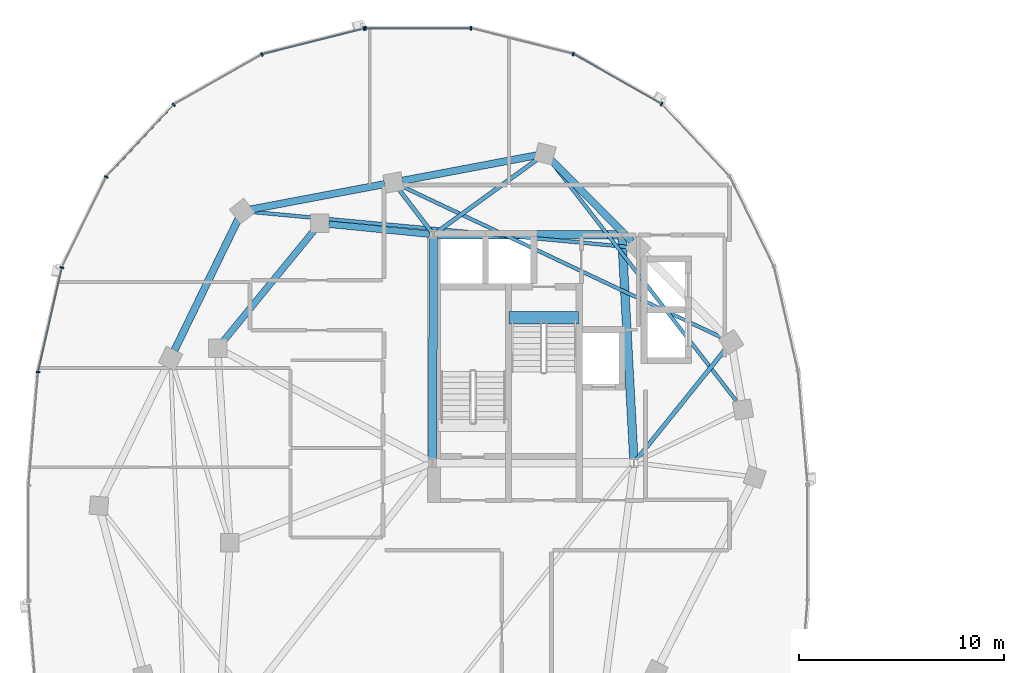
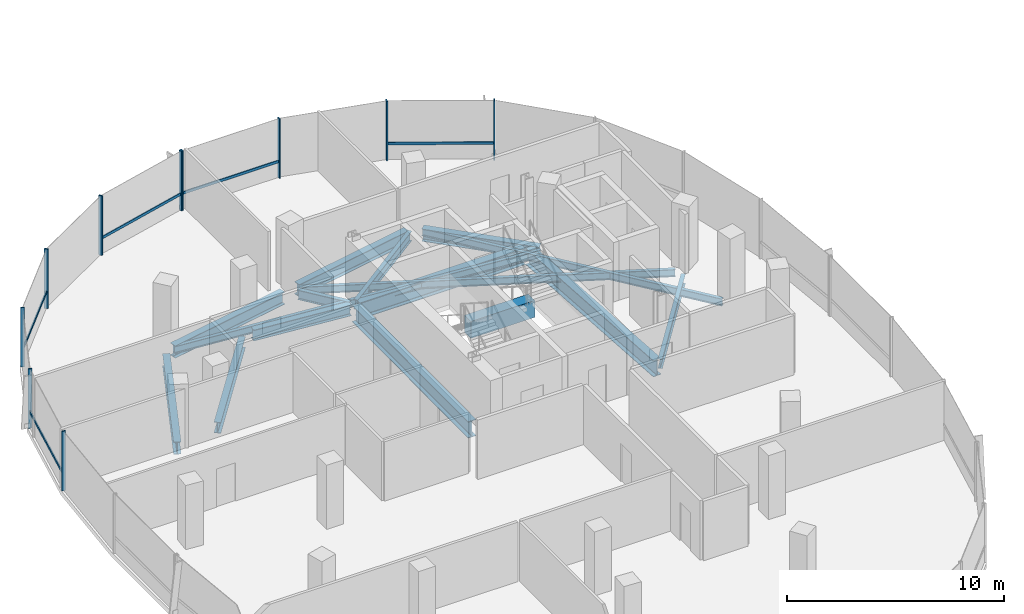
# One storey, part 6 of 25: 16 beams, 15 members, 2 elements without a shape of their own.
"""IFC4 building model written with IfcOpenShell, lengths in metres."""

from ifc_helpers import new_model, si_unit, direction, frame, origin, origin_2d, place, context, subcontext, project, spatial, rectangle, i_section, extrude, material, material_profile, profile_set, type_object, element, aggregate, save


model = new_model("IFC4")

# Units and contexts
model_context = context("Model", 3, precision=1e-05, world=origin(), true_north=direction((0.0, 1.0)))
body_context = subcontext(model_context, "Body", "Model", "MODEL_VIEW")
ifc_project = project(units=[si_unit("LENGTHUNIT", "METRE"), si_unit("AREAUNIT", "SQUARE_METRE"), si_unit("VOLUMEUNIT", "CUBIC_METRE"), si_unit("PLANEANGLEUNIT", "RADIAN"), si_unit("MASSUNIT", "GRAM", prefix="KILO"), si_unit("THERMODYNAMICTEMPERATUREUNIT", "KELVIN"), si_unit("POWERUNIT", "WATT")], contexts=[model_context])

# Site, building, storey
site_placement = place(None, origin())
site = spatial("IfcSite", under=ifc_project, at=site_placement, CompositionType="ELEMENT")
building_placement = place(site_placement, origin())
building = spatial("IfcBuilding", under=site, at=building_placement, Name="Cundina Bronze Exchange", CompositionType="ELEMENT")
storey_placement = place(building_placement, frame((0.0, 0.0, 209.800048828125)))
storey = spatial("IfcBuildingStorey", under=building, at=storey_placement, Name="L55", CompositionType="ELEMENT", Elevation=209.800048828125)

# Beams
ifc_material_1 = material(Name="Concrete C60/75", Category="concrete")
ifc_material_profile_1 = material_profile(ifc_material_1, rectangle(XDim=0.60009765625, YDim=0.949951171875, at=origin_2d()), Name="RC600X950", Category="concrete")
ifc_profile_set_1 = profile_set([ifc_material_profile_1], Name="Concrete C60/75")
beam_type_1 = type_object("IfcBeamType", Name="BM-COUP-RC950", PredefinedType="LINTEL", material=ifc_profile_set_1)
beam_1_placement = place(storey_placement, frame((-27.56005859375, 10.97998046875, -0.47509765625), z_axis=(1.0, 0.0, 0.0), x_axis=(0.0, 1.0, 0.0)))
element("IfcBeam", 1, at=beam_1_placement, inside=storey, type_object=beam_type_1, Name="L55 Stair W2 Landing Header Beam", PredefinedType="LINTEL", context=body_context, shape_type="SweptSolid", body=[
    extrude(rectangle(XDim=0.60009765625, YDim=0.949951171875, at=origin_2d()), origin(), (0.0, 0.0, 1.0), 3.400146484375),
])
ifc_material_2 = material(Name="Steel ASTM A992 Grade 50", Category="steel")
ifc_material_profile_2 = material_profile(ifc_material_2, i_section(OverallWidth=0.2119140625, OverallDepth=0.5439453125, WebThickness=0.01318359375, FlangeThickness=0.021240234375, FilletRadius=0.013916015625, at=origin_2d()), Name="W21X83", Category="steel")
ifc_profile_set_2 = profile_set([ifc_material_profile_2], Name="Steel ASTM A992 Grade 50")
beam_type_2 = type_object("IfcBeamType", Name="BM-FLR-W21A", PredefinedType="BEAM", material=ifc_profile_set_2)
beam_2_placement = place(storey_placement, frame((-21.3271484375, 4.052734375, -0.531982421875), z_axis=(0.627128630072, 0.778915708755, 0.0), x_axis=(-0.778915708755, 0.627128630072, 0.0)))
element("IfcBeam", 2, at=beam_2_placement, inside=storey, type_object=beam_type_2, Name="L55 Leg W Radial Floor Beam 02", PredefinedType="BEAM", context=body_context, shape_type="SweptSolid", body=[
    extrude(i_section(OverallWidth=0.2119140625, OverallDepth=0.5439453125, WebThickness=0.01318359375, FlangeThickness=0.021240234375, FilletRadius=0.013916015625, at=origin_2d()), origin(), (0.0, 0.0, 1.0), 6.9404296875),
])
beam_3_placement = place(storey_placement, frame((-31.09130859375, 15.1650390625, -0.531982421875), z_axis=(0.809709858543, 0.586830422677, 0.0), x_axis=(-0.586830422677, 0.809709858543, 0.0)))
element("IfcBeam", 3, at=beam_3_placement, inside=storey, type_object=beam_type_2, Name="L55 Leg W Radial Floor Beam 04", PredefinedType="BEAM", context=body_context, shape_type="SweptSolid", body=[
    extrude(i_section(OverallWidth=0.2119140625, OverallDepth=0.5439453125, WebThickness=0.01318359375, FlangeThickness=0.021240234375, FilletRadius=0.013916015625, at=origin_2d()), origin(), (0.0, 0.0, 1.0), 6.096923828125),
])
beam_4_placement = place(storey_placement, frame((-31.369140625, 15.205810546875, -0.531982421875), z_axis=(-0.60740437517, 0.794392802727, 0.0), x_axis=(-0.794392802727, -0.60740437517, 0.0)))
element("IfcBeam", 4, at=beam_4_placement, inside=storey, type_object=beam_type_2, Name="L55 Leg W Radial Floor Beam 05", PredefinedType="BEAM", context=body_context, shape_type="SweptSolid", body=[
    extrude(i_section(OverallWidth=0.2119140625, OverallDepth=0.5439453125, WebThickness=0.01318359375, FlangeThickness=0.021240234375, FilletRadius=0.013916015625, at=origin_2d()), origin(), (0.0, 0.0, 1.0), 2.575927734375),
])
ifc_material_profile_3 = material_profile(ifc_material_2, i_section(OverallWidth=0.178955078125, OverallDepth=0.409912109375, WebThickness=0.0087890625, FlangeThickness=0.014404296875, FilletRadius=0.010986328125, at=origin_2d()), Name="W16X45", Category="steel")
ifc_profile_set_3 = profile_set([ifc_material_profile_3], Name="Steel ASTM A992 Grade 50")
beam_type_3 = type_object("IfcBeamType", Name="BM-JST-W16", PredefinedType="JOIST", material=ifc_profile_set_3)
beam_5_placement = place(storey_placement, frame((-16.39306640625, 6.846435546875, -0.465087890625), z_axis=(-0.612085793291, 0.790791364174, 0.0), x_axis=(-0.790791364174, -0.612085793291, 0.0)))
element("IfcBeam", 5, at=beam_5_placement, inside=storey, type_object=beam_type_3, Name="L55 Leg W Lobe Floor Joist 01-04", PredefinedType="JOIST", context=body_context, shape_type="SweptSolid", body=[
    extrude(i_section(OverallWidth=0.178955078125, OverallDepth=0.409912109375, WebThickness=0.0087890625, FlangeThickness=0.014404296875, FilletRadius=0.010986328125, at=origin_2d()), origin(), (0.0, 0.0, 1.0), 14.9306640625),
])
beam_6_placement = place(storey_placement, frame((-17.095947265625, 9.9873046875, -0.465087890625), z_axis=(-0.904073747204, 0.427376484632, 0.0), x_axis=(-0.427376484632, -0.904073747204, 0.0)))
element("IfcBeam", 6, at=beam_6_placement, inside=storey, type_object=beam_type_3, Name="L55 Leg W Lobe Floor Joist 02-05", PredefinedType="JOIST", context=body_context, shape_type="SweptSolid", body=[
    extrude(i_section(OverallWidth=0.178955078125, OverallDepth=0.409912109375, WebThickness=0.0087890625, FlangeThickness=0.014404296875, FilletRadius=0.010986328125, at=origin_2d()), origin(), (0.0, 0.0, 1.0), 17.374755859375),
])
beam_7_placement = place(storey_placement, frame((-21.68603515625, 14.440673828125, -0.465087890625), z_axis=(-0.9957017803, 0.092617302415, 0.0), x_axis=(-0.092617302415, -0.9957017803, 0.0)))
element("IfcBeam", 7, at=beam_7_placement, inside=storey, type_object=beam_type_3, Name="L55 Leg W Lobe Floor Joist 03-06", PredefinedType="JOIST", context=body_context, shape_type="SweptSolid", body=[
    extrude(i_section(OverallWidth=0.178955078125, OverallDepth=0.409912109375, WebThickness=0.0087890625, FlangeThickness=0.014404296875, FilletRadius=0.010986328125, at=origin_2d()), origin(), (0.0, 0.0, 1.0), 18.5576171875),
])
ifc_material_profile_4 = material_profile(ifc_material_2, i_section(OverallWidth=0.324951171875, OverallDepth=0.615966796875, WebThickness=0.013916015625, FlangeThickness=0.021484375, FilletRadius=0.01611328125, at=origin_2d()), Name="W24X117", Category="steel")
ifc_profile_set_4 = profile_set([ifc_material_profile_4], Name="Steel ASTM A992 Grade 50")
beam_type_4 = type_object("IfcBeamType", Name="BM-RING-W24", PredefinedType="USERDEFINED", material=ifc_profile_set_4)
beam_8_placement = place(storey_placement, frame((-31.445068359375, 15.0693359375, -0.568115234375), z_axis=(-0.995123854478, 0.09863323096, 0.0), x_axis=(-0.09863323096, -0.995123854478, 0.0)))
element("IfcBeam", 8, at=beam_8_placement, inside=storey, type_object=beam_type_4, Name="L55 W Inner Structural Ring Girder 01", ObjectType="GIRDER", PredefinedType="USERDEFINED", context=body_context, shape_type="SweptSolid", body=[
    extrude(i_section(OverallWidth=0.324951171875, OverallDepth=0.615966796875, WebThickness=0.013916015625, FlangeThickness=0.021484375, FilletRadius=0.01611328125, at=origin_2d()), origin(), (0.0, 0.0, 1.0), 4.943115234375),
])
beam_9_placement = place(storey_placement, frame((-37.07763671875, 15.26123046875, -0.568115234375), z_axis=(-0.633912590175, -0.77340469873, 0.0), x_axis=(0.77340469873, -0.633912590175, 0.0)))
element("IfcBeam", 9, at=beam_9_placement, inside=storey, type_object=beam_type_4, Name="L55 W Inner Structural Ring Girder 02", ObjectType="GIRDER", PredefinedType="USERDEFINED", context=body_context, shape_type="SweptSolid", body=[
    extrude(i_section(OverallWidth=0.324951171875, OverallDepth=0.615966796875, WebThickness=0.013916015625, FlangeThickness=0.021484375, FilletRadius=0.01611328125, at=origin_2d()), origin(), (0.0, 0.0, 1.0), 7.01123046875),
])
ifc_material_profile_5 = material_profile(ifc_material_2, i_section(OverallWidth=0.35498046875, OverallDepth=0.695068359375, WebThickness=0.015380859375, FlangeThickness=0.02490234375, FilletRadius=0.01806640625, at=origin_2d()), Name="W27X146", Category="steel")
ifc_profile_set_5 = profile_set([ifc_material_profile_5], Name="Steel ASTM A992 Grade 50")
beam_type_5 = type_object("IfcBeamType", Name="BM-RING-W27", PredefinedType="USERDEFINED", material=ifc_profile_set_5)
beam_10_placement = place(storey_placement, frame((-21.55810546875, 14.71142578125, -0.607666015625), z_axis=(-0.703211928763, 0.710980297368, 0.0), x_axis=(-0.710980297368, -0.703211928763, 0.0)))
element("IfcBeam", 10, at=beam_10_placement, inside=storey, type_object=beam_type_5, Name="L55 W Perimeter Ring Girder 03", ObjectType="GIRDER", PredefinedType="USERDEFINED", context=body_context, shape_type="SweptSolid", body=[
    extrude(i_section(OverallWidth=0.35498046875, OverallDepth=0.695068359375, WebThickness=0.015380859375, FlangeThickness=0.02490234375, FilletRadius=0.01806640625, at=origin_2d()), origin(), (0.0, 0.0, 1.0), 5.593994140625),
])
beam_11_placement = place(storey_placement, frame((-26.23046875, 18.918701171875, -0.607666015625), z_axis=(-0.982565174657, -0.185918470175, 0.0), x_axis=(0.185918470175, -0.982565174657, 0.0)))
element("IfcBeam", 11, at=beam_11_placement, inside=storey, type_object=beam_type_5, Name="L55 W Perimeter Ring Girder 04", ObjectType="GIRDER", PredefinedType="USERDEFINED", context=body_context, shape_type="SweptSolid", body=[
    extrude(i_section(OverallWidth=0.35498046875, OverallDepth=0.695068359375, WebThickness=0.015380859375, FlangeThickness=0.02490234375, FilletRadius=0.01806640625, at=origin_2d()), origin(), (0.0, 0.0, 1.0), 6.655029296875),
])
beam_12_placement = place(storey_placement, frame((-33.63037109375, 17.5185546875, -0.607666015625), z_axis=(-0.982573143022, -0.185876353022, 0.0), x_axis=(0.185876353022, -0.982573143022, 0.0)))
element("IfcBeam", 12, at=beam_12_placement, inside=storey, type_object=beam_type_5, Name="L55 W Perimeter Ring Girder 05", ObjectType="GIRDER", PredefinedType="USERDEFINED", context=body_context, shape_type="SweptSolid", body=[
    extrude(i_section(OverallWidth=0.35498046875, OverallDepth=0.695068359375, WebThickness=0.015380859375, FlangeThickness=0.02490234375, FilletRadius=0.01806640625, at=origin_2d()), origin(), (0.0, 0.0, 1.0), 6.6552734375),
])
beam_13_placement = place(storey_placement, frame((-40.79150390625, 15.80615234375, -0.607666015625), z_axis=(-0.437173087764, -0.89937739094, 0.0), x_axis=(0.89937739094, -0.437173087764, 0.0)))
element("IfcBeam", 13, at=beam_13_placement, inside=storey, type_object=beam_type_5, Name="L55 W Perimeter Ring Girder 06", ObjectType="GIRDER", PredefinedType="USERDEFINED", context=body_context, shape_type="SweptSolid", body=[
    extrude(i_section(OverallWidth=0.35498046875, OverallDepth=0.695068359375, WebThickness=0.015380859375, FlangeThickness=0.02490234375, FilletRadius=0.01806640625, at=origin_2d()), origin(), (0.0, 0.0, 1.0), 7.1298828125),
])
ifc_material_profile_6 = material_profile(ifc_material_2, i_section(OverallWidth=0.41796875, OverallDepth=0.927001953125, WebThickness=0.019287109375, FlangeThickness=0.031982421875, FilletRadius=0.02392578125, at=origin_2d()), Name="W36X231", Category="steel")
ifc_profile_set_6 = profile_set([ifc_material_profile_6], Name="Steel ASTM A992 Grade 50")
beam_type_6 = type_object("IfcBeamType", Name="BM-WRN-W36B", PredefinedType="USERDEFINED", material=ifc_profile_set_6)
beam_14_placement = place(storey_placement, frame((-21.46044921875, 4.095703125, -0.7236328125), z_axis=(-0.053749317644, 0.998554460634, 0.0), x_axis=(-0.998554460634, -0.053749317644, 0.0)))
element("IfcBeam", 14, at=beam_14_placement, inside=storey, type_object=beam_type_6, Name="L55 W Core Perimeter Tie Girder 2", ObjectType="GIRDER", PredefinedType="USERDEFINED", context=body_context, shape_type="SweptSolid", body=[
    extrude(i_section(OverallWidth=0.41796875, OverallDepth=0.927001953125, WebThickness=0.019287109375, FlangeThickness=0.031982421875, FilletRadius=0.02392578125, at=origin_2d()), origin(), (0.0, 0.0, 1.0), 10.774169921875),
])
beam_15_placement = place(storey_placement, frame((-22.24609375, 15.050048828125, -0.7236328125), z_axis=(-1.0, 0.0, 0.0), x_axis=(0.0, -1.0, 0.0)))
element("IfcBeam", 15, at=beam_15_placement, inside=storey, type_object=beam_type_6, Name="L55 W Core Perimeter Tie Girder 3", ObjectType="GIRDER", PredefinedType="USERDEFINED", context=body_context, shape_type="SweptSolid", body=[
    extrude(i_section(OverallWidth=0.41796875, OverallDepth=0.927001953125, WebThickness=0.019287109375, FlangeThickness=0.031982421875, FilletRadius=0.02392578125, at=origin_2d()), origin(), (0.0, 0.0, 1.0), 8.807861328125),
])
beam_16_placement = place(storey_placement, frame((-31.2509765625, 14.85400390625, -0.7236328125), z_axis=(-0.004470623654, -0.999990006712, 0.0), x_axis=(0.999990006712, -0.004470623654, 0.0)))
element("IfcBeam", 16, at=beam_16_placement, inside=storey, type_object=beam_type_6, Name="L55 W Core Perimeter Tie Girder 4", ObjectType="GIRDER", PredefinedType="USERDEFINED", context=body_context, shape_type="SweptSolid", body=[
    extrude(i_section(OverallWidth=0.41796875, OverallDepth=0.927001953125, WebThickness=0.019287109375, FlangeThickness=0.031982421875, FilletRadius=0.02392578125, at=origin_2d()), origin(), (0.0, 0.0, 1.0), 10.758056640625),
])

# Curtain wall, members
ifc_material_3 = material(Name="Anodised Bronze Aluminium 6063-T6", Category="aluminium")
curtain_wall_type = type_object("IfcCurtainWallType", Name="CWS-UPP-OFF", PredefinedType="NOTDEFINED", material=ifc_material_3)
curtain_wall_1_placement = place(storey_placement, origin())
curtain_wall_1 = element("IfcCurtainWall", 17, at=curtain_wall_1_placement, inside=storey, type_object=curtain_wall_type, Name="L55 CW-05 Curtain Wall Run CWR-L55-W1", PredefinedType="NOTDEFINED")
ifc_material_profile_7 = material_profile(ifc_material_3, rectangle(XDim=0.070068359375, YDim=0.18994140625, at=origin_2d()), Name="AL70X190", Category="aluminium")
ifc_profile_set_7 = profile_set([ifc_material_profile_7], Name="Anodised Bronze Aluminium 6063-T6")
member_type_1 = type_object("IfcMemberType", Name="CWM-MUL-190", PredefinedType="MULLION", material=ifc_profile_set_7)
member_1_placement = place(storey_placement, frame((-20.100341796875, 21.43115234375, 0.0), z_axis=(0.0, 0.0, 1.0), x_axis=(-0.86958112538, 0.493790103568, 0.0)))
member_1 = element("IfcMember", 18, at=member_1_placement, type_object=member_type_1, Name="CW-05 Mullion 5", PredefinedType="MULLION", context=body_context, shape_type="SweptSolid", body=[
    extrude(rectangle(XDim=0.070068359375, YDim=0.18994140625, at=origin_2d()), origin(), (0.0, 0.0, 1.0), 3.33984375),
])
member_2_placement = place(storey_placement, frame((-24.422607421875, 23.87548828125, 0.0), z_axis=(0.0, 0.0, 1.0), x_axis=(-0.969744325821, 0.244122802168, 0.0)))
member_2 = element("IfcMember", 19, at=member_2_placement, type_object=member_type_1, Name="CW-05 Mullion 6", PredefinedType="MULLION", context=body_context, shape_type="SweptSolid", body=[
    extrude(rectangle(XDim=0.070068359375, YDim=0.18994140625, at=origin_2d()), origin(), (0.0, 0.0, 1.0), 3.33984375),
])
member_3_placement = place(storey_placement, frame((-29.419921875, 25.125, 0.0), z_axis=(0.0, 0.0, 1.0), x_axis=(-1.0, 0.0, 0.0)))
member_3 = element("IfcMember", 20, at=member_3_placement, type_object=member_type_1, Name="CW-05 Mullion 7", PredefinedType="MULLION", context=body_context, shape_type="SweptSolid", body=[
    extrude(rectangle(XDim=0.070068359375, YDim=0.18994140625, at=origin_2d()), origin(), (0.0, 0.0, 1.0), 3.33984375),
])
member_4_placement = place(storey_placement, frame((-34.580078125, 25.125, 0.0), z_axis=(0.0, 0.0, 1.0), x_axis=(-1.0, 0.0, 0.0)))
member_4 = element("IfcMember", 21, at=member_4_placement, type_object=member_type_1, Name="CW-05 End Mullion", PredefinedType="MULLION", context=body_context, shape_type="SweptSolid", body=[
    extrude(rectangle(XDim=0.070068359375, YDim=0.18994140625, at=origin_2d()), origin(), (0.0, 0.0, 1.0), 3.33984375),
])

curtain_wall_2_placement = place(storey_placement, origin())
curtain_wall_2 = element("IfcCurtainWall", 22, at=curtain_wall_2_placement, inside=storey, type_object=curtain_wall_type, Name="L55 CW-05 Curtain Wall Run CWR-L55-W2", PredefinedType="NOTDEFINED")
member_5_placement = place(storey_placement, frame((-34.6484375, 25.116455078125, 0.0), z_axis=(0.0, 0.0, 1.0), x_axis=(-0.969744325821, -0.244122802168, 0.0)))
member_5 = element("IfcMember", 23, at=member_5_placement, type_object=member_type_1, Name="CW-05 Mullion 1", PredefinedType="MULLION", context=body_context, shape_type="SweptSolid", body=[
    extrude(rectangle(XDim=0.070068359375, YDim=0.18994140625, at=origin_2d()), origin(), (0.0, 0.0, 1.0), 3.33984375),
])
member_6_placement = place(storey_placement, frame((-39.638916015625, 23.850830078125, 0.0), z_axis=(0.0, 0.0, 1.0), x_axis=(-0.86958112538, -0.493790103568, 0.0)))
member_6 = element("IfcMember", 24, at=member_6_placement, type_object=member_type_1, Name="CW-05 Mullion 2", PredefinedType="MULLION", context=body_context, shape_type="SweptSolid", body=[
    extrude(rectangle(XDim=0.070068359375, YDim=0.18994140625, at=origin_2d()), origin(), (0.0, 0.0, 1.0), 3.33984375),
])
member_7_placement = place(storey_placement, frame((-43.94873046875, 21.392578125, 0.0), z_axis=(0.0, 0.0, 1.0), x_axis=(-0.684292606175, -0.729207535023, 0.0)))
member_7 = element("IfcMember", 25, at=member_7_placement, type_object=member_type_1, Name="CW-05 Mullion 3", PredefinedType="MULLION", context=body_context, shape_type="SweptSolid", body=[
    extrude(rectangle(XDim=0.070068359375, YDim=0.18994140625, at=origin_2d()), origin(), (0.0, 0.0, 1.0), 3.33984375),
])
member_8_placement = place(storey_placement, frame((-47.245361328125, 17.866455078125, 0.0), z_axis=(0.0, 0.0, 1.0), x_axis=(-0.440566004113, -0.897720221461, 0.0)))
member_8 = element("IfcMember", 26, at=member_8_placement, type_object=member_type_1, Name="CW-05 Mullion 4", PredefinedType="MULLION", context=body_context, shape_type="SweptSolid", body=[
    extrude(rectangle(XDim=0.070068359375, YDim=0.18994140625, at=origin_2d()), origin(), (0.0, 0.0, 1.0), 3.33984375),
])
member_9_placement = place(storey_placement, frame((-49.40771484375, 13.440673828125, 0.0), z_axis=(0.0, 0.0, 1.0), x_axis=(-0.223250116011, -0.974761194191, 0.0)))
member_9 = element("IfcMember", 27, at=member_9_placement, type_object=member_type_1, Name="CW-05 Mullion 5", PredefinedType="MULLION", context=body_context, shape_type="SweptSolid", body=[
    extrude(rectangle(XDim=0.070068359375, YDim=0.18994140625, at=origin_2d()), origin(), (0.0, 0.0, 1.0), 3.33984375),
])
member_10_placement = place(storey_placement, frame((-50.572509765625, 8.33056640625, 0.0), z_axis=(0.0, 0.0, 1.0), x_axis=(-0.083677843332, -0.99649285925, 0.0)))
member_10 = element("IfcMember", 28, at=member_10_placement, type_object=member_type_1, Name="CW-05 Mullion 6", PredefinedType="MULLION", context=body_context, shape_type="SweptSolid", body=[
    extrude(rectangle(XDim=0.070068359375, YDim=0.18994140625, at=origin_2d()), origin(), (0.0, 0.0, 1.0), 3.33984375),
])

# Member
ifc_material_profile_8 = material_profile(ifc_material_3, rectangle(XDim=0.06494140625, YDim=0.14990234375, at=origin_2d()), Name="AL65X150", Category="aluminium")
ifc_profile_set_8 = profile_set([ifc_material_profile_8], Name="Anodised Bronze Aluminium 6063-T6")
member_type_2 = type_object("IfcMemberType", Name="CWM-TRN-150", PredefinedType="USERDEFINED", material=ifc_profile_set_8)
member_11_placement = place(storey_placement, frame((-20.1337890625, 21.4501953125, 0.919921875), z_axis=(-0.869573748083, 0.493803095013, 0.0), x_axis=(-0.493803095013, -0.869573748083, 0.0)))
member_11 = element("IfcMember", 29, at=member_11_placement, type_object=member_type_2, Name="CW-05 Spandrel Transom 5", ObjectType="TRANSOM", PredefinedType="USERDEFINED", context=body_context, shape_type="SweptSolid", body=[
    extrude(rectangle(XDim=0.06494140625, YDim=0.14990234375, at=origin_2d()), origin(), (0.0, 0.0, 1.0), 4.900146484375),
])

member_12_placement = place(storey_placement, frame((-29.45849609375, 25.125, 0.919921875), z_axis=(-1.0, 0.0, 0.0), x_axis=(0.0, -1.0, 0.0)))
member_12 = element("IfcMember", 30, at=member_12_placement, type_object=member_type_2, Name="CW-05 Spandrel Transom 7", ObjectType="TRANSOM", PredefinedType="USERDEFINED", context=body_context, shape_type="SweptSolid", body=[
    extrude(rectangle(XDim=0.06494140625, YDim=0.14990234375, at=origin_2d()), origin(), (0.0, 0.0, 1.0), 5.0830078125),
])

aggregate(curtain_wall_1, [member_1, member_11, member_2, member_3, member_4, member_12])

member_13_placement = place(storey_placement, frame((-34.685791015625, 25.107177734375, 0.919921875), z_axis=(-0.969725738797, -0.244196624699, 0.0), x_axis=(0.244196624699, -0.969725738797, 0.0)))
member_13 = element("IfcMember", 31, at=member_13_placement, type_object=member_type_2, Name="CW-05 Spandrel Transom 1", ObjectType="TRANSOM", PredefinedType="USERDEFINED", context=body_context, shape_type="SweptSolid", body=[
    extrude(rectangle(XDim=0.06494140625, YDim=0.14990234375, at=origin_2d()), origin(), (0.0, 0.0, 1.0), 5.082763671875),
])

member_14_placement = place(storey_placement, frame((-43.97509765625, 21.364501953125, 0.919921875), z_axis=(-0.684336416554, -0.729166420633, 0.0), x_axis=(0.729166420633, -0.684336416554, 0.0)))
member_14 = element("IfcMember", 32, at=member_14_placement, type_object=member_type_2, Name="CW-05 Spandrel Transom 3", ObjectType="TRANSOM", PredefinedType="USERDEFINED", context=body_context, shape_type="SweptSolid", body=[
    extrude(rectangle(XDim=0.06494140625, YDim=0.14990234375, at=origin_2d()), origin(), (0.0, 0.0, 1.0), 4.76513671875),
])

member_15_placement = place(storey_placement, frame((-49.41650390625, 13.403076171875, 0.919921875), z_axis=(-0.22328343579, -0.974753562344, 0.0), x_axis=(0.974753562344, -0.22328343579, 0.0)))
member_15 = element("IfcMember", 33, at=member_15_placement, type_object=member_type_2, Name="CW-05 Spandrel Transom 5", ObjectType="TRANSOM", PredefinedType="USERDEFINED", context=body_context, shape_type="SweptSolid", body=[
    extrude(rectangle(XDim=0.06494140625, YDim=0.14990234375, at=origin_2d()), origin(), (0.0, 0.0, 1.0), 5.159912109375),
])

aggregate(curtain_wall_2, [member_5, member_13, member_6, member_7, member_14, member_8, member_9, member_15, member_10])

save(model, "model.ifc")
